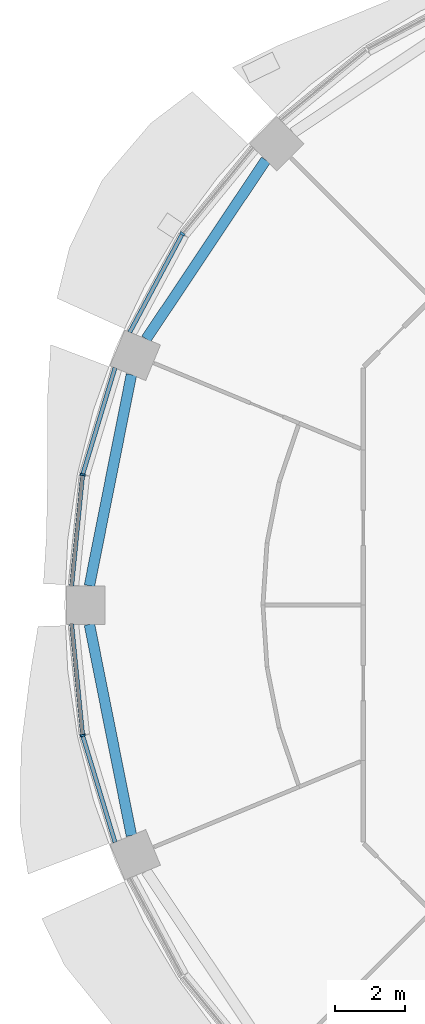
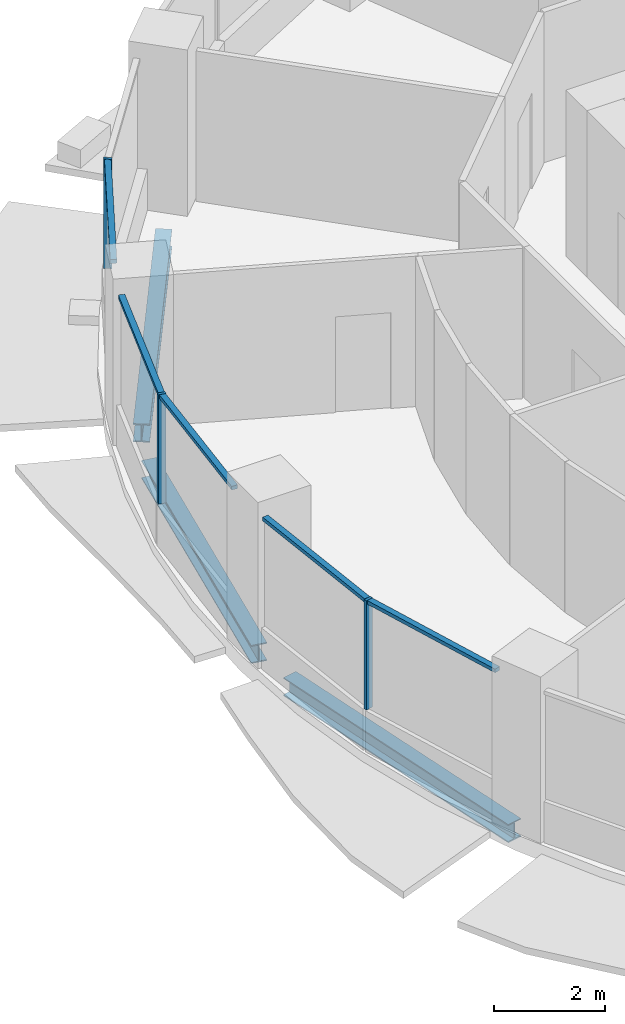
# One storey, part 3 of 14: 8 members, 3 beams, 3 elements without a shape of their own.
"""IFC4 building model written with IfcOpenShell, lengths in metres."""

import ifcopenshell
import ifcopenshell.guid

model = None  # the IFC model being written
_history = None  # IfcOwnerHistory: only IFC2X3 demands one
_inside = {}  # id of a spatial element -> (the spatial element, [elements in it])
_under = {}  # id of a project, library or spatial element -> (it, [spatial elements below it])
_declared = {}  # id of a project -> (the project, [libraries it declares])
_typed = {}  # id of a type object -> (the type object, [elements of that type])
_made_of = {}  # id of a material, layer set ... -> (it, [elements and type objects made of it])


def new_model(schema):
    """Start an empty IFC model of exactly this schema.

    Asked for "IFC4X3", IfcOpenShell would pick the latest addendum, in which some entities
    have other attributes; the version numbers below select the first issue.
    IFC2X3 requires an IfcOwnerHistory on every rooted entity: one is made here for all.
    """
    global model, _history
    if schema == "IFC4X3":
        model = ifcopenshell.file(schema_version=(4, 3, 0, 0))
    else:
        model = ifcopenshell.file(schema=schema)
    _inside.clear()
    _under.clear()
    _declared.clear()
    _typed.clear()
    _made_of.clear()
    _history = None
    if model.schema == "IFC2X3":
        org = make("IfcOrganization", Name="unknown")
        user = make(
            "IfcPersonAndOrganization",
            ThePerson=make("IfcPerson", FamilyName="unknown"),
            TheOrganization=org,
        )
        app = make(
            "IfcApplication",
            ApplicationDeveloper=org,
            Version="unknown",
            ApplicationFullName="unknown",
            ApplicationIdentifier="unknown",
        )
        _history = make(
            "IfcOwnerHistory",
            OwningUser=user,
            OwningApplication=app,
            ChangeAction="ADDED",
            CreationDate=0,
        )
    return model


def make(cls, **values):
    """One entity of the class cls with the attributes given. An attribute that is None is left unset."""
    return model.create_entity(
        cls, **{name: value for name, value in values.items() if value is not None}
    )


def rooted(cls, **values):
    """An entity with a GlobalId (a new one), such as an element, a storey or a relation."""
    return make(cls, GlobalId=ifcopenshell.guid.new(), OwnerHistory=_history, **values)


def si_unit(unit_type, name, prefix=None):
    """IfcSIUnit, for example si_unit("LENGTHUNIT", "METRE", prefix="MILLI")."""
    return make("IfcSIUnit", UnitType=unit_type, Prefix=prefix, Name=name)


def assignment(units):
    """IfcUnitAssignment: the units of a project."""
    return None if units is None else make("IfcUnitAssignment", Units=units)


def point(xyz):
    """IfcCartesianPoint."""
    return None if xyz is None else make("IfcCartesianPoint", Coordinates=xyz)


def direction(xyz):
    """IfcDirection."""
    return None if xyz is None else make("IfcDirection", DirectionRatios=xyz)


def frame(location, z_axis=None, x_axis=None):
    """IfcAxis2Placement3D, a coordinate frame: its origin and axes. An axis left out is left unset."""
    return make(
        "IfcAxis2Placement3D",
        Location=point(location),
        Axis=direction(z_axis),
        RefDirection=direction(x_axis),
    )


def frame_2d(location, x_axis=None):
    """IfcAxis2Placement2D, a coordinate frame in the plane: its origin and x axis."""
    return make(
        "IfcAxis2Placement2D", Location=point(location), RefDirection=direction(x_axis)
    )


def origin():
    """The frame at (0, 0, 0) with its axes left unset."""
    return frame((0.0, 0.0, 0.0))


def origin_2d():
    """The frame at (0, 0) in the plane with its x axis left unset."""
    return frame_2d((0.0, 0.0))


def place(relative_to, where):
    """IfcLocalPlacement: puts the frame where relative to a parent placement (None: the world)."""
    return make(
        "IfcLocalPlacement", PlacementRelTo=relative_to, RelativePlacement=where
    )


def context(
    kind, dimensions, precision=None, world=None, true_north=None, identifier=None
):
    """IfcGeometricRepresentationContext, for example the 3D "Model" context."""
    return make(
        "IfcGeometricRepresentationContext",
        ContextIdentifier=identifier,
        ContextType=kind,
        CoordinateSpaceDimension=dimensions,
        Precision=precision,
        WorldCoordinateSystem=world,
        TrueNorth=true_north,
    )


def subcontext(parent, identifier, kind, view, scale=None):
    """IfcGeometricRepresentationSubContext, for example "Body" below "Model"."""
    return make(
        "IfcGeometricRepresentationSubContext",
        ContextIdentifier=identifier,
        ContextType=kind,
        ParentContext=parent,
        TargetScale=scale,
        TargetView=view,
    )


def project(units=None, contexts=None):
    """IfcProject with its units and contexts."""
    return rooted(
        "IfcProject",
        Name="project",
        RepresentationContexts=contexts,
        UnitsInContext=assignment(units),
    )


def spatial(cls, under=None, at=None, **own):
    """A site, building, storey or space (cls), placed at a placement, below another one or the project."""
    s = rooted(cls, ObjectPlacement=at, **own)
    if under is not None:
        _under.setdefault(under.id(), (under, []))[1].append(s)
    return s


def profile(cls, at=None, kind="AREA", **sizes):
    """A parametric profile (cls). Its sizes go by their IFC names, for example OverallWidth=200.0."""
    return make(cls, ProfileType=kind, Position=at, **sizes)


def rectangle(**sizes):
    """IfcRectangleProfileDef."""
    return profile("IfcRectangleProfileDef", **sizes)


def i_section(**sizes):
    """IfcIShapeProfileDef."""
    return profile("IfcIShapeProfileDef", **sizes)


def extrude(swept, where, along, depth):
    """IfcExtrudedAreaSolid: the profile swept, set in the frame where, extruded along a direction by depth."""
    return make(
        "IfcExtrudedAreaSolid",
        SweptArea=swept,
        Position=where,
        ExtrudedDirection=direction(along),
        Depth=depth,
    )


def shape(context_of_items, identifier, shape_type, items):
    """IfcShapeRepresentation: the items that make up one representation, for example the "Body"."""
    return make(
        "IfcShapeRepresentation",
        ContextOfItems=context_of_items,
        RepresentationIdentifier=identifier,
        RepresentationType=shape_type,
        Items=items,
    )


def material(Name=None, Category=None):
    """IfcMaterial."""
    return make("IfcMaterial", Name=Name, Category=Category)


def material_profile(
    of_material, cross_section, Name=None, Category=None, Priority=None
):
    """IfcMaterialProfile: a cross section and its material."""
    return make(
        "IfcMaterialProfile",
        Name=Name,
        Material=of_material,
        Profile=cross_section,
        Priority=Priority,
        Category=Category,
    )


def profile_set(profiles, Name=None, composite=None):
    """IfcMaterialProfileSet."""
    return make(
        "IfcMaterialProfileSet",
        Name=Name,
        MaterialProfiles=profiles,
        CompositeProfile=composite,
    )


def made_of(thing, what):
    """Note that an element or type object is made of a material, layer set ...; save() writes the relation."""
    if what is not None:
        _made_of.setdefault(what.id(), (what, []))[1].append(thing)
    return thing


def type_object(cls, material=None, **own):
    """A type object (cls), such as IfcWallType, which elements share."""
    return made_of(rooted(cls, **own), material)


def element(
    cls,
    number,
    at=None,
    inside=None,
    cuts=None,
    type_object=None,
    material=None,
    context=None,
    identifier="Body",
    shape_type=None,
    held_by="IfcProductDefinitionShape",
    body=None,
    shapes=None,
    **own,
):
    """One element of the class cls, such as IfcWall. Its Tag is "e" and its number.

    at: its placement. inside: the storey or other place that contains it. cuts: it is an
    opening in that element (IfcRelVoidsElement). A single representation is given by context,
    identifier, shape_type and body (its items); several are given by shapes. held_by: the class
    of the entity that holds the representations. save() writes the other relations.
    """
    e = rooted(cls, Tag="e%d" % number, ObjectPlacement=at, **own)
    if body is not None:
        shapes = [shape(context, identifier, shape_type, body)]
    if shapes is not None:
        e.Representation = make(held_by, Representations=shapes)
    if inside is not None:
        _inside.setdefault(inside.id(), (inside, []))[1].append(e)
    if cuts is not None:
        rooted(
            "IfcRelVoidsElement", RelatingBuildingElement=cuts, RelatedOpeningElement=e
        )
    if type_object is not None:
        _typed.setdefault(type_object.id(), (type_object, []))[1].append(e)
    return made_of(e, material)


def aggregate(whole, parts):
    """IfcRelAggregates: a whole, such as a stair, and the parts it consists of."""
    return rooted("IfcRelAggregates", RelatingObject=whole, RelatedObjects=parts)


def save(model, path):
    """Write the relations noted so far, then the file.

    IfcRelAggregates (storeys below a building ...), IfcRelContainedInSpatialStructure (elements
    in a storey), IfcRelDefinesByType, IfcRelAssociatesMaterial and IfcRelDeclares: one each for
    every whole, place, type object, material and project.
    """
    for whole, parts in _under.values():
        aggregate(whole, parts)
    for where, things in _inside.values():
        rooted(
            "IfcRelContainedInSpatialStructure",
            RelatedElements=things,
            RelatingStructure=where,
        )
    for kind, things in _typed.values():
        rooted("IfcRelDefinesByType", RelatedObjects=things, RelatingType=kind)
    for what, things in _made_of.values():
        rooted("IfcRelAssociatesMaterial", RelatedObjects=things, RelatingMaterial=what)
    for by, libraries in _declared.values():
        rooted("IfcRelDeclares", RelatingContext=by, RelatedDefinitions=libraries)
    model.write(path)


model = new_model("IFC4")

# Units and contexts
model_context = context("Model", 3, precision=1e-05, world=origin(), true_north=direction((0.0, 1.0)))
body_context = subcontext(model_context, "Body", "Model", "MODEL_VIEW")
ifc_project = project(units=[si_unit("LENGTHUNIT", "METRE"), si_unit("AREAUNIT", "SQUARE_METRE"), si_unit("VOLUMEUNIT", "CUBIC_METRE"), si_unit("PLANEANGLEUNIT", "RADIAN"), si_unit("MASSUNIT", "GRAM", prefix="KILO")], contexts=[model_context])

# Site, building, storey
site_placement = place(None, origin())
site = spatial("IfcSite", under=ifc_project, at=site_placement, CompositionType="ELEMENT")
building_placement = place(site_placement, origin())
building = spatial("IfcBuilding", under=site, at=building_placement, Name="Polderwave Tower", CompositionType="ELEMENT")
storey_placement = place(building_placement, frame((0.0, 0.0, 109.25)))
storey = spatial("IfcBuildingStorey", under=building, at=storey_placement, Name="L28", CompositionType="ELEMENT", Elevation=109.25)

# Curtain wall, member
ifc_material_1 = material(Name="Aluminium 6063-T6 and glass", Category="aluminium")
curtain_wall_type = type_object("IfcCurtainWallType", Name="Growing floor ribbon glazing wall", PredefinedType="NOTDEFINED", material=ifc_material_1)
curtain_wall_1_placement = place(storey_placement, origin())
curtain_wall_1 = element("IfcCurtainWall", 1, at=curtain_wall_1_placement, inside=storey, type_object=curtain_wall_type, Name="CW2 L28 06", PredefinedType="NOTDEFINED")
ifc_material_2 = material(Name="Aluminium 6063-T6", Category="aluminium")
ifc_material_profile_1 = material_profile(ifc_material_2, rectangle(XDim=0.14990234375, YDim=0.06005859375, at=origin_2d()), Name="AL 60x150")
ifc_profile_set_1 = profile_set([ifc_material_profile_1], Name="Aluminium 6063-T6")
member_type_1 = type_object("IfcMemberType", Name="Growing floor ribbon glazing mullion 60x150", PredefinedType="MULLION", material=ifc_profile_set_1)
member_1_placement = place(storey_placement, frame((-15.822998046875, 10.572998046875, 0.89990234375), z_axis=(0.0, 0.0, 1.0), x_axis=(0.831459915646, -0.555584744817, 0.0)))
member_1 = element("IfcMember", 2, at=member_1_placement, type_object=member_type_1, Name="CW2 mullion 1", PredefinedType="MULLION", context=body_context, shape_type="SweptSolid", body=[
    extrude(rectangle(XDim=0.14990234375, YDim=0.06005859375, at=origin_2d()), origin(), (0.0, 0.0, 1.0), 2.400146484375),
])

curtain_wall_2_placement = place(storey_placement, origin())
curtain_wall_2 = element("IfcCurtainWall", 3, at=curtain_wall_2_placement, inside=storey, type_object=curtain_wall_type, Name="CW2 L28 07", PredefinedType="NOTDEFINED")
member_2_placement = place(storey_placement, frame((-18.6640625, 3.712890625, 0.89990234375), z_axis=(0.0, 0.0, 1.0), x_axis=(0.980784939905, -0.195092033809, 0.0)))
member_2 = element("IfcMember", 4, at=member_2_placement, type_object=member_type_1, Name="CW2 mullion 1", PredefinedType="MULLION", context=body_context, shape_type="SweptSolid", body=[
    extrude(rectangle(XDim=0.14990234375, YDim=0.06005859375, at=origin_2d()), origin(), (0.0, 0.0, 1.0), 2.400146484375),
])

curtain_wall_3_placement = place(storey_placement, origin())
curtain_wall_3 = element("IfcCurtainWall", 5, at=curtain_wall_3_placement, inside=storey, type_object=curtain_wall_type, Name="CW2 L28 08", PredefinedType="NOTDEFINED")
member_3_placement = place(storey_placement, frame((-18.6640625, -3.712890625, 0.89990234375), z_axis=(0.0, 0.0, 1.0), x_axis=(0.980784939905, 0.195092033809, 0.0)))
member_3 = element("IfcMember", 6, at=member_3_placement, type_object=member_type_1, Name="CW2 mullion 1", PredefinedType="MULLION", context=body_context, shape_type="SweptSolid", body=[
    extrude(rectangle(XDim=0.14990234375, YDim=0.06005859375, at=origin_2d()), origin(), (0.0, 0.0, 1.0), 2.400146484375),
])

# Member
ifc_material_profile_2 = material_profile(ifc_material_2, rectangle(XDim=0.1201171875, YDim=0.080078125, at=origin_2d()), Name="AL 80x120")
ifc_profile_set_2 = profile_set([ifc_material_profile_2], Name="Aluminium 6063-T6")
member_type_2 = type_object("IfcMemberType", Name="Growing floor ribbon glazing transom 80x120", PredefinedType="USERDEFINED", material=ifc_profile_set_2)
member_4_placement = place(storey_placement, frame((-15.837158203125, 10.54638671875, 3.260009765625), z_axis=(-0.471368950997, -0.88193611562, 0.0), x_axis=(0.88193611562, -0.471368950997, 0.0)))
member_4 = element("IfcMember", 7, at=member_4_placement, type_object=member_type_2, Name="CW2 transom 2", ObjectType="TRANSOM", PredefinedType="USERDEFINED", context=body_context, shape_type="SweptSolid", body=[
    extrude(rectangle(XDim=0.1201171875, YDim=0.080078125, at=origin_2d()), origin(), (0.0, 0.0, 1.0), 3.14794921875),
])

aggregate(curtain_wall_1, [member_1, member_4])

member_5_placement = place(storey_placement, frame((-17.741943359375, 6.75390625, 3.260009765625), z_axis=(-0.290164540356, -0.956976770627, 0.0), x_axis=(0.956976770627, -0.290164540356, 0.0)))
member_5 = element("IfcMember", 8, at=member_5_placement, type_object=member_type_2, Name="CW2 transom 1", ObjectType="TRANSOM", PredefinedType="USERDEFINED", context=body_context, shape_type="SweptSolid", body=[
    extrude(rectangle(XDim=0.1201171875, YDim=0.080078125, at=origin_2d()), origin(), (0.0, 0.0, 1.0), 3.147705078125),
])

member_6_placement = place(storey_placement, frame((-18.6669921875, 3.68310546875, 3.260009765625), z_axis=(-0.098175338745, -0.995169132792, 0.0), x_axis=(0.995169132792, -0.098175338745, 0.0)))
member_6 = element("IfcMember", 9, at=member_6_placement, type_object=member_type_2, Name="CW2 transom 2", ObjectType="TRANSOM", PredefinedType="USERDEFINED", context=body_context, shape_type="SweptSolid", body=[
    extrude(rectangle(XDim=0.1201171875, YDim=0.080078125, at=origin_2d()), origin(), (0.0, 0.0, 1.0), 3.148193359375),
])

aggregate(curtain_wall_2, [member_2, member_5, member_6])

member_7_placement = place(storey_placement, frame((-18.97607421875, -0.550048828125, 3.260009765625), z_axis=(0.098175338745, -0.995169132792, 0.0), x_axis=(0.995169132792, 0.098175338745, 0.0)))
member_7 = element("IfcMember", 10, at=member_7_placement, type_object=member_type_2, Name="CW2 transom 1", ObjectType="TRANSOM", PredefinedType="USERDEFINED", context=body_context, shape_type="SweptSolid", body=[
    extrude(rectangle(XDim=0.1201171875, YDim=0.080078125, at=origin_2d()), origin(), (0.0, 0.0, 1.0), 3.148193359375),
])

member_8_placement = place(storey_placement, frame((-18.6552734375, -3.74169921875, 3.260009765625), z_axis=(0.290164540356, -0.956976770627, 0.0), x_axis=(0.956976770627, 0.290164540356, 0.0)))
member_8 = element("IfcMember", 11, at=member_8_placement, type_object=member_type_2, Name="CW2 transom 2", ObjectType="TRANSOM", PredefinedType="USERDEFINED", context=body_context, shape_type="SweptSolid", body=[
    extrude(rectangle(XDim=0.1201171875, YDim=0.080078125, at=origin_2d()), origin(), (0.0, 0.0, 1.0), 3.147705078125),
])

aggregate(curtain_wall_3, [member_3, member_7, member_8])

# Beams
ifc_material_3 = material(Name="Steel S355", Category="steel")
ifc_material_profile_3 = material_profile(ifc_material_3, i_section(OverallWidth=0.300048828125, OverallDepth=0.39990234375, WebThickness=0.013427734375, FlangeThickness=0.02392578125, at=origin_2d()), Name="HE 400 B")
ifc_profile_set_3 = profile_set([ifc_material_profile_3], Name="Steel S355")
beam_type = type_object("IfcBeamType", Name="RING BEAM HE 400 B", PredefinedType="BEAM", material=ifc_profile_set_3)
beam_placement = place(storey_placement, frame((-13.44970703125, 12.671875, -0.550048828125), z_axis=(-0.555554909675, -0.83147985083, 0.0), x_axis=(0.83147985083, -0.555554909675, 0.0)))
element("IfcBeam", 12, at=beam_placement, inside=storey, type_object=beam_type, Name="ST-RB-L28-06", PredefinedType="BEAM", context=body_context, shape_type="SweptSolid", body=[
    extrude(i_section(OverallWidth=0.300048828125, OverallDepth=0.39990234375, WebThickness=0.013427734375, FlangeThickness=0.02392578125, at=origin_2d()), origin(), (0.0, 0.0, 1.0), 6.128173828125),
])
for number, where, z_axis, x_axis, name in (
    (13, (-17.275146484375, 6.560302734375, -0.550048828125), (-0.195097041699, -0.980783943751, 0.0), (0.980783943751, -0.195097041699, 0.0), "ST-RB-L28-07"),
    (14, (-18.470703125, -0.550048828125, -0.550048828125), (0.195097041699, -0.980783943751, 0.0), (0.980783943751, 0.195097041699, 0.0), "ST-RB-L28-08"),
):
    element("IfcBeam", number, at=place(storey_placement, frame(where, z_axis=z_axis, x_axis=x_axis)), inside=storey, type_object=beam_type, Name=name, PredefinedType="BEAM", context=body_context, shape_type="SweptSolid", body=[
        extrude(i_section(OverallWidth=0.300048828125, OverallDepth=0.39990234375, WebThickness=0.013427734375, FlangeThickness=0.02392578125, at=origin_2d()), origin(), (0.0, 0.0, 1.0), 6.1279296875),
    ])

save(model, "model.ifc")
